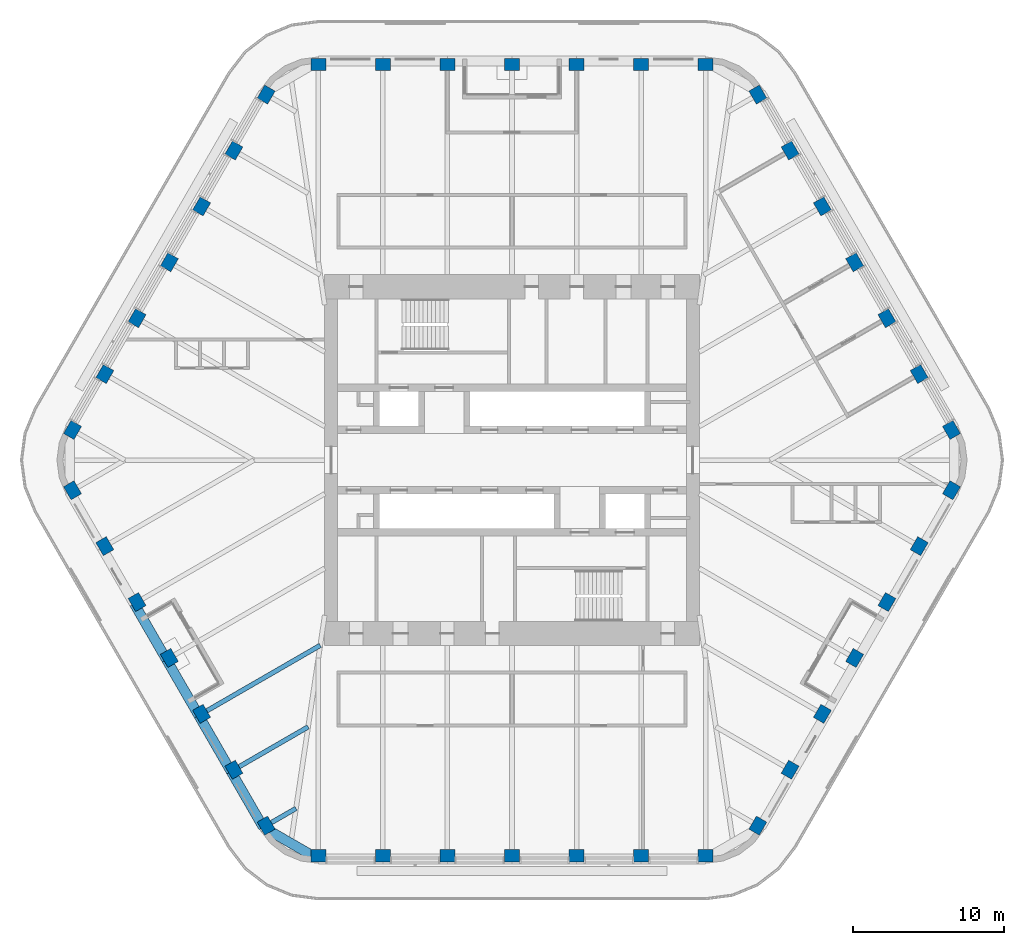
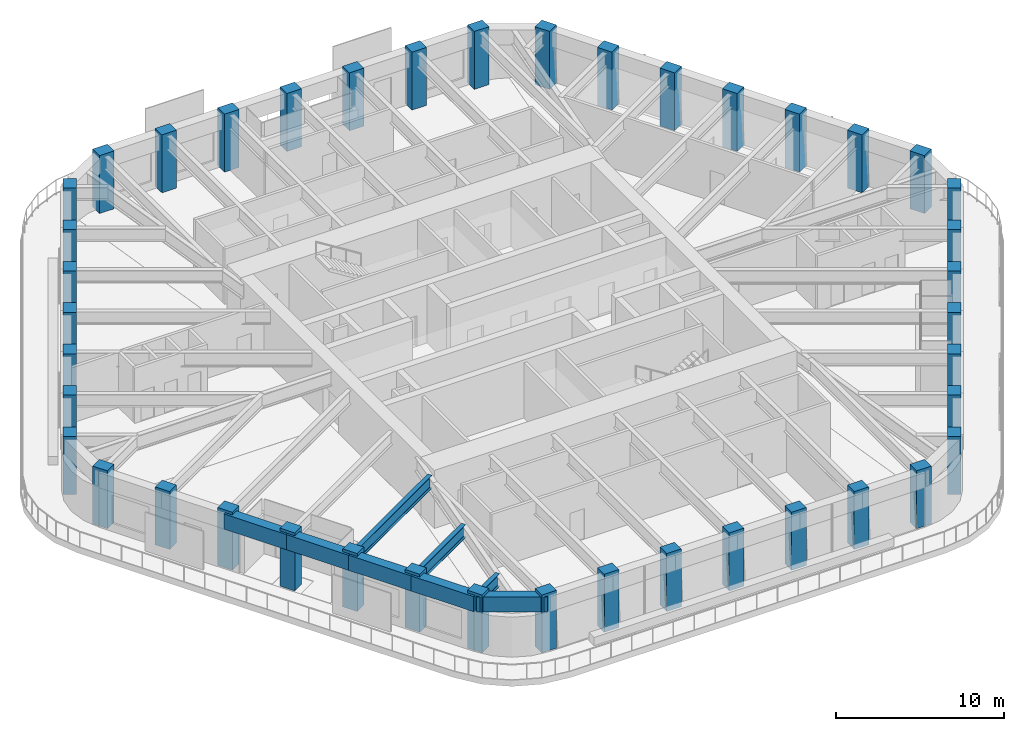
# One storey, part 1 of 19: 42 columns, 8 beams.
"""IFC4 building model written with IfcOpenShell, lengths in metres."""

from ifc_helpers import new_model, si_unit, direction, frame, origin, origin_2d, place, context, subcontext, project, spatial, rectangle, i_section, extrude, material, material_profile, profile_set, type_object, element, save


model = new_model("IFC4")

# Units and contexts
model_context = context("Model", 3, precision=1e-05, world=origin(), true_north=direction((0.0, 1.0)))
body_context = subcontext(model_context, "Body", "Model", "MODEL_VIEW")
ifc_project = project(units=[si_unit("LENGTHUNIT", "METRE"), si_unit("AREAUNIT", "SQUARE_METRE"), si_unit("VOLUMEUNIT", "CUBIC_METRE"), si_unit("PLANEANGLEUNIT", "RADIAN"), si_unit("MASSUNIT", "GRAM", prefix="KILO")], contexts=[model_context])

# Site, building, storey
site_placement = place(None, origin())
site = spatial("IfcSite", under=ifc_project, at=site_placement, CompositionType="ELEMENT")
building_placement = place(site_placement, origin())
building = spatial("IfcBuilding", under=site, at=building_placement, Name="Tarfa Lantern Tower", CompositionType="ELEMENT")
storey_placement = place(building_placement, frame((0.0, 0.0, 340.89990234375)))
storey = spatial("IfcBuildingStorey", under=building, at=storey_placement, Name="L77", CompositionType="ELEMENT", Elevation=340.89990234375)

# Columns
ifc_material_1 = material(Name="Concrete C80/95", Category="concrete")
ifc_material_profile_1 = material_profile(ifc_material_1, rectangle(XDim=1.0, YDim=0.800048828125, at=origin_2d()), Name="RC 1000x800")
ifc_profile_set_1 = profile_set([ifc_material_profile_1], Name="Concrete C80/95")
column_type = type_object("IfcColumnType", Name="TC14 RC 1000x800", PredefinedType="COLUMN", material=ifc_profile_set_1)
for number, where, z_axis, x_axis, name in (
    (1, (29.15625, 2.0, 0.0), (0.0, 0.0, 1.0), (-0.5, 0.866025403784, 0.0), "Tube column NE0"),
    (2, (27.01513671875, 5.708251953125, 0.0), (0.0, 0.0, 1.0), (-0.5, 0.866025403784, 0.0), "Tube column NE1"),
    (3, (24.874267578125, 9.416748046875, 0.0), (0.0, 0.0, 1.0), (-0.5, 0.866025403784, 0.0), "Tube column NE2"),
    (4, (22.733154296875, 13.125, 0.0), (0.0, 0.0, 1.0), (-0.5, 0.866025403784, 0.0), "Tube column NE3"),
    (5, (20.592041015625, 16.833251953125, 0.0), (0.0, 0.0, 1.0), (-0.5, 0.866025403784, 0.0), "Tube column NE4"),
    (6, (18.451171875, 20.541748046875, 0.0), (0.0, 0.0, 1.0), (-0.5, 0.866025403784, 0.0), "Tube column NE5"),
    (7, (16.31005859375, 24.25, 0.0), (0.0, 0.0, 1.0), (-0.5, 0.866025403784, 0.0), "Tube column NE6"),
    (8, (12.845947265625, 26.25, 0.0), (0.0, 0.0, 1.0), (-1.0, 0.0, 0.0), "Tube column N0"),
    (9, (8.56396484375, 26.25, 0.0), (0.0, 0.0, 1.0), (-1.0, 0.0, 0.0), "Tube column N1"),
    (10, (4.281982421875, 26.25, 0.0), (0.0, 0.0, 1.0), (-1.0, 0.0, 0.0), "Tube column N2"),
    (11, (0.0, 26.25, 0.0), (0.0, 0.0, 1.0), (-1.0, 0.0, 0.0), "Tube column N3"),
    (12, (-4.281982421875, 26.25, 0.0), (0.0, 0.0, 1.0), (-1.0, 0.0, 0.0), "Tube column N4"),
    (13, (-8.56396484375, 26.25, 0.0), (0.0, 0.0, 1.0), (-1.0, 0.0, 0.0), "Tube column N5"),
    (14, (-12.845947265625, 26.25, 0.0), (0.0, 0.0, 1.0), (-1.0, 0.0, 0.0), "Tube column N6"),
    (15, (-16.31005859375, 24.25, 0.0), (0.0, 0.0, 1.0), (-0.5, -0.866025403784, 0.0), "Tube column NW0"),
    (16, (-18.451171875, 20.541748046875, 0.0), (0.0, 0.0, 1.0), (-0.5, -0.866025403784, 0.0), "Tube column NW1"),
    (17, (-20.592041015625, 16.833251953125, 0.0), (0.0, 0.0, 1.0), (-0.5, -0.866025403784, 0.0), "Tube column NW2"),
    (18, (-22.733154296875, 13.125, 0.0), (0.0, 0.0, 1.0), (-0.5, -0.866025403784, 0.0), "Tube column NW3"),
    (19, (-24.874267578125, 9.416748046875, 0.0), (0.0, 0.0, 1.0), (-0.5, -0.866025403784, 0.0), "Tube column NW4"),
    (20, (-27.01513671875, 5.708251953125, 0.0), (0.0, 0.0, 1.0), (-0.5, -0.866025403784, 0.0), "Tube column NW5"),
    (21, (-29.15625, 2.0, 0.0), (0.0, 0.0, 1.0), (-0.5, -0.866025403784, 0.0), "Tube column NW6"),
    (22, (-29.15625, -2.0, 0.0), (0.0, 0.0, 1.0), (0.5, -0.866025403784, 0.0), "Tube column SW0"),
    (23, (-27.01513671875, -5.708251953125, 0.0), (0.0, 0.0, 1.0), (0.5, -0.866025403784, 0.0), "Tube column SW1"),
    (24, (-24.874267578125, -9.416748046875, 0.0), (0.0, 0.0, 1.0), (0.5, -0.866025403784, 0.0), "Tube column SW2"),
    (25, (-22.733154296875, -13.125, 0.0), (0.0, 0.0, 1.0), (0.5, -0.866025403784, 0.0), "Tube column SW3"),
    (26, (-20.592041015625, -16.833251953125, 0.0), (0.0, 0.0, 1.0), (0.5, -0.866025403784, 0.0), "Tube column SW4"),
    (27, (-18.451171875, -20.541748046875, 0.0), (0.0, 0.0, 1.0), (0.5, -0.866025403784, 0.0), "Tube column SW5"),
    (28, (-16.31005859375, -24.25, 0.0), (0.0, 0.0, 1.0), (0.5, -0.866025403784, 0.0), "Tube column SW6"),
    (29, (-12.845947265625, -26.25, 0.0), (0.0, 0.0, 1.0), (1.0, 0.0, 0.0), "Tube column S0"),
    (30, (-8.56396484375, -26.25, 0.0), (0.0, 0.0, 1.0), (1.0, 0.0, 0.0), "Tube column S1"),
    (31, (-4.281982421875, -26.25, 0.0), (0.0, 0.0, 1.0), (1.0, 0.0, 0.0), "Tube column S2"),
    (32, (0.0, -26.25, 0.0), (0.0, 0.0, 1.0), (1.0, 0.0, 0.0), "Tube column S3"),
    (33, (4.281982421875, -26.25, 0.0), (0.0, 0.0, 1.0), (1.0, 0.0, 0.0), "Tube column S4"),
    (34, (8.56396484375, -26.25, 0.0), (0.0, 0.0, 1.0), (1.0, 0.0, 0.0), "Tube column S5"),
    (35, (12.845947265625, -26.25, 0.0), (0.0, 0.0, 1.0), (1.0, 0.0, 0.0), "Tube column S6"),
    (36, (16.31005859375, -24.25, 0.0), (0.0, 0.0, 1.0), (0.5, 0.866025403784, 0.0), "Tube column SE0"),
    (37, (18.451171875, -20.541748046875, 0.0), (0.0, 0.0, 1.0), (0.5, 0.866025403784, 0.0), "Tube column SE1"),
    (38, (20.592041015625, -16.833251953125, 0.0), (0.0, 0.0, 1.0), (0.5, 0.866025403784, 0.0), "Tube column SE2"),
    (39, (22.733154296875, -13.125, 0.0), (0.0, 0.0, 1.0), (0.5, 0.866025403784, 0.0), "Tube column SE3"),
    (40, (24.874267578125, -9.416748046875, 0.0), (0.0, 0.0, 1.0), (0.5, 0.866025403784, 0.0), "Tube column SE4"),
    (41, (27.01513671875, -5.708251953125, 0.0), (0.0, 0.0, 1.0), (0.5, 0.866025403784, 0.0), "Tube column SE5"),
    (42, (29.15625, -2.0, 0.0), (0.0, 0.0, 1.0), (0.5, 0.866025403784, 0.0), "Tube column SE6"),
):
    element("IfcColumn", number, at=place(storey_placement, frame(where, z_axis=z_axis, x_axis=x_axis)), inside=storey, type_object=column_type, Name=name, PredefinedType="COLUMN", context=body_context, shape_type="SweptSolid", body=[
        extrude(rectangle(XDim=1.0, YDim=0.800048828125, at=origin_2d()), origin(), (0.0, 0.0, 1.0), 4.2001953125),
    ])

# Beams
ifc_material_profile_2 = material_profile(ifc_material_1, rectangle(XDim=0.64990234375, YDim=1.10009765625, at=origin_2d()), Name="RC 650x1100")
ifc_profile_set_2 = profile_set([ifc_material_profile_2], Name="Concrete C80/95")
beam_type_1 = type_object("IfcBeamType", Name="EB4 RC 650x1100", PredefinedType="SPANDREL", material=ifc_profile_set_2)
beam_1_placement = place(storey_placement, frame((-25.064697265625, -9.526611328125, 3.4501953125), z_axis=(0.500002112793, -0.866024183959, 0.0), x_axis=(0.866024183959, 0.500002112793, 0.0)))
element("IfcBeam", 43, at=beam_1_placement, inside=storey, type_object=beam_type_1, Name="Edge beam SW2", PredefinedType="SPANDREL", context=body_context, shape_type="SweptSolid", body=[
    extrude(rectangle(XDim=0.64990234375, YDim=1.10009765625, at=origin_2d()), origin(), (0.0, 0.0, 1.0), 4.2822265625),
])
for number, where, z_axis, x_axis, name in (
    (44, (-22.923583984375, -13.235107421875, 3.4501953125), (0.499984039138, -0.866034618596, 0.0), (0.866034618596, 0.499984039138, 0.0), "Edge beam SW3"),
    (45, (-20.78271484375, -16.943359375, 3.4501953125), (0.500026801138, -0.866009929587, 0.0), (0.866009929587, 0.500026801138, 0.0), "Edge beam SW4"),
    (46, (-18.6416015625, -20.651611328125, 3.4501953125), (0.499959351497, -0.866048870937, 0.0), (0.866048870937, 0.499959351497, 0.0), "Edge beam SW5"),
):
    element("IfcBeam", number, at=place(storey_placement, frame(where, z_axis=z_axis, x_axis=x_axis)), inside=storey, type_object=beam_type_1, Name=name, PredefinedType="SPANDREL", context=body_context, shape_type="SweptSolid", body=[
        extrude(rectangle(XDim=0.64990234375, YDim=1.10009765625, at=origin_2d()), origin(), (0.0, 0.0, 1.0), 4.281982421875),
    ])
beam_2_placement = place(storey_placement, frame((-16.500732421875, -24.360107421875, 3.4501953125), z_axis=(0.866048788483, -0.499959494327, 0.0), x_axis=(0.499959494327, 0.866048788483, 0.0)))
element("IfcBeam", 47, at=beam_2_placement, inside=storey, type_object=beam_type_1, Name="Edge beam SW6", PredefinedType="SPANDREL", context=body_context, shape_type="SweptSolid", body=[
    extrude(rectangle(XDim=0.64990234375, YDim=1.10009765625, at=origin_2d()), origin(), (0.0, 0.0, 1.0), 4.219970703125),
])
ifc_material_2 = material(Name="Steel S460M", Category="steel")
ifc_material_profile_3 = material_profile(ifc_material_2, i_section(OverallWidth=0.305419921875, OverallDepth=0.91845703125, WebThickness=0.017333984375, FlangeThickness=0.02783203125, FilletRadius=0.01904296875, at=origin_2d()), Name="UB914x305x253")
ifc_profile_set_3 = profile_set([ifc_material_profile_3], Name="Steel S460M")
beam_type_2 = type_object("IfcBeamType", Name="UB914x305x253", PredefinedType="BEAM", material=ifc_profile_set_3)
beam_3_placement = place(storey_placement, frame((-20.78271484375, -16.943359375, 3.541015625), z_axis=(0.866021806508, 0.500006230613, 0.0), x_axis=(-0.500006230613, 0.866021806508, 0.0)))
element("IfcBeam", 48, at=beam_3_placement, inside=storey, type_object=beam_type_2, Name="Floor beam SW4", PredefinedType="BEAM", context=body_context, shape_type="SweptSolid", body=[
    extrude(i_section(OverallWidth=0.305419921875, OverallDepth=0.91845703125, WebThickness=0.017333984375, FlangeThickness=0.02783203125, FilletRadius=0.01904296875, at=origin_2d()), origin(), (0.0, 0.0, 1.0), 9.30908203125),
])
beam_4_placement = place(storey_placement, frame((-18.6416015625, -20.651611328125, 3.541015625), z_axis=(0.866024549157, 0.500001480256, 0.0), x_axis=(-0.500001480256, 0.866024549157, 0.0)))
element("IfcBeam", 49, at=beam_4_placement, inside=storey, type_object=beam_type_2, Name="Floor beam SW5", PredefinedType="BEAM", context=body_context, shape_type="SweptSolid", body=[
    extrude(i_section(OverallWidth=0.305419921875, OverallDepth=0.91845703125, WebThickness=0.017333984375, FlangeThickness=0.02783203125, FilletRadius=0.01904296875, at=origin_2d()), origin(), (0.0, 0.0, 1.0), 5.90771484375),
])
beam_5_placement = place(storey_placement, frame((-16.500732421875, -24.360107421875, 3.541015625), z_axis=(0.865992557167, 0.500056887695, 0.0), x_axis=(-0.500056887695, 0.865992557167, 0.0)))
element("IfcBeam", 50, at=beam_5_placement, inside=storey, type_object=beam_type_2, Name="Floor beam SW6", PredefinedType="BEAM", context=body_context, shape_type="SweptSolid", body=[
    extrude(i_section(OverallWidth=0.305419921875, OverallDepth=0.91845703125, WebThickness=0.017333984375, FlangeThickness=0.02783203125, FilletRadius=0.01904296875, at=origin_2d()), origin(), (0.0, 0.0, 1.0), 2.506591796875),
])

save(model, "model.ifc")
